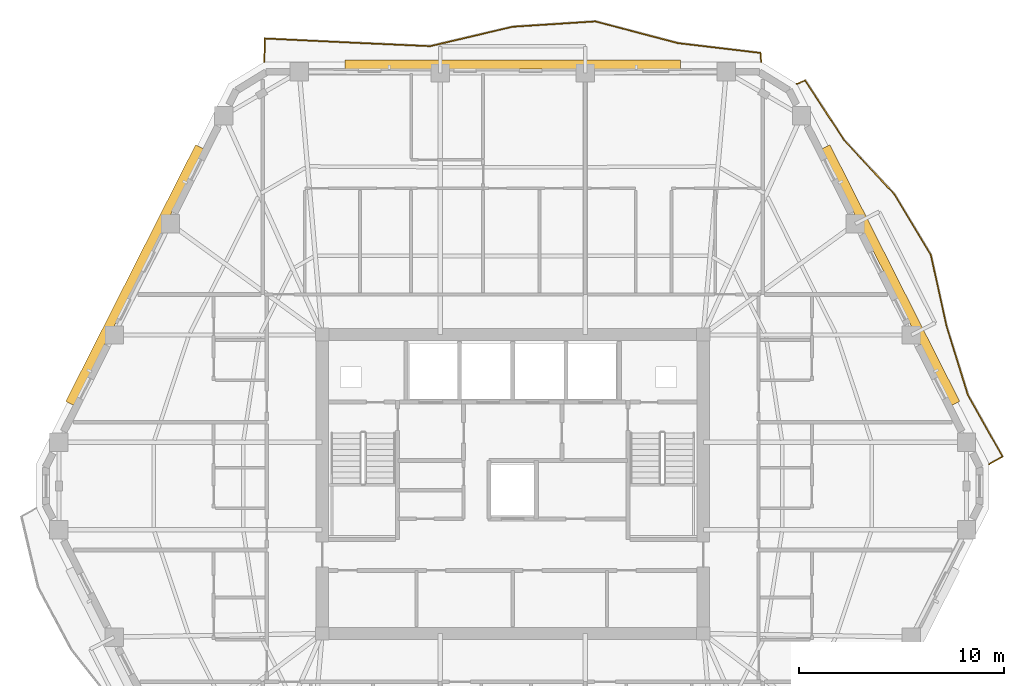
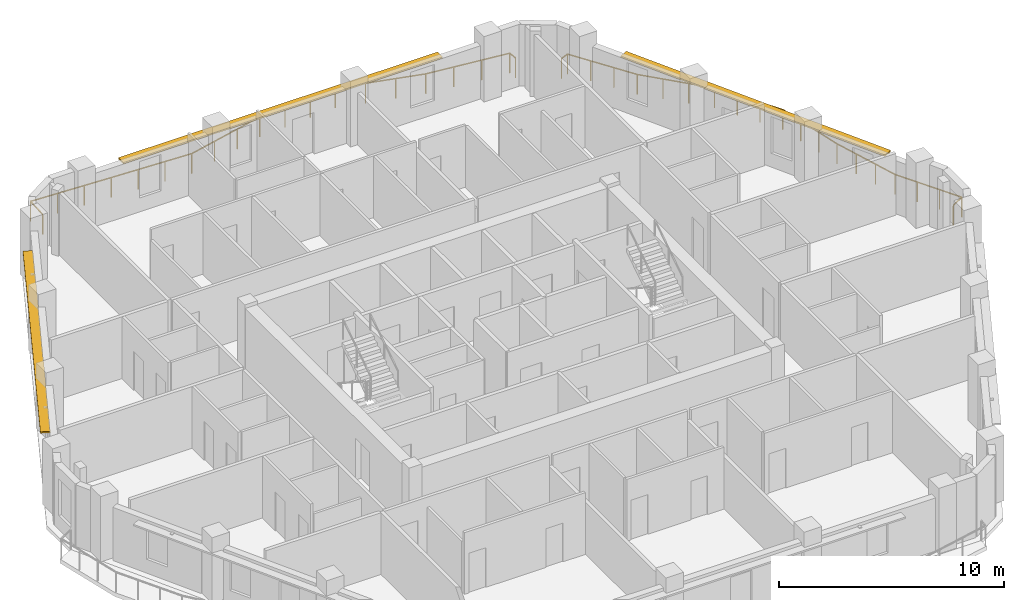
# One storey, part 11 of 11: 3 shading devices, 2 railings.
"""IFC4 building model written with IfcOpenShell, lengths in metres."""

from ifc_helpers import new_model, si_unit, direction, frame, origin, origin_2d, place, context, subcontext, project, spatial, rectangle, extrude, material, layer, layer_set, type_object, element, save


model = new_model("IFC4")

# Units and contexts
model_context = context("Model", 3, precision=1e-05, world=origin(), true_north=direction((0.0, 1.0)))
body_context = subcontext(model_context, "Body", "Model", "MODEL_VIEW")
ifc_project = project(units=[si_unit("LENGTHUNIT", "METRE"), si_unit("AREAUNIT", "SQUARE_METRE"), si_unit("VOLUMEUNIT", "CUBIC_METRE"), si_unit("PLANEANGLEUNIT", "RADIAN"), si_unit("MASSUNIT", "GRAM", prefix="KILO")], contexts=[model_context])

# Site, building, storey
site_placement = place(None, origin())
site = spatial("IfcSite", under=ifc_project, at=site_placement, CompositionType="ELEMENT")
building_placement = place(site_placement, origin())
building = spatial("IfcBuilding", under=site, at=building_placement, Name="Cinnabar Lancet Tower", CompositionType="ELEMENT")
storey_placement = place(building_placement, frame((0.0, 0.0, 200.300048828125)))
storey = spatial("IfcBuildingStorey", under=building, at=storey_placement, Name="L53", CompositionType="ELEMENT", Elevation=200.300048828125)

# Railings
ifc_material_1 = material(Name="Laminated safety glass and bronze stainless steel balustrade", Category="steel")
railing_type = type_object("IfcRailingType", Name="ENV-RLG-BAL-1100", PredefinedType="BALUSTRADE", material=ifc_material_1)
railing_1_placement = place(storey_placement, frame((55.657958984375, 26.87109375, 0.0)))
element("IfcRailing", 1, at=railing_1_placement, inside=storey, type_object=railing_type, Name="L53 Face 3 Wave Balcony Balustrade", PredefinedType="BALUSTRADE", context=body_context, shape_type="SweptSolid", body=[
    extrude(rectangle(XDim=0.048095703125, YDim=0.048095703125, at=origin_2d()), frame((0.0, 0.0, 1.076171875), z_axis=(0.874915580561, 0.48427546592, 0.0), x_axis=(-0.48427546592, 0.874915580561, 0.0)), (0.0, 0.0, 1.0), 0.7431640625),
    extrude(rectangle(XDim=0.048095703125, YDim=0.048095703125, at=origin_2d()), frame((0.650146484375, 0.35986328125, 1.076171875), z_axis=(-0.489262753818, 0.872136432977, 0.0), x_axis=(-0.872136432977, -0.489262753818, 0.0)), (0.0, 0.0, 1.0), 3.46044921875),
    extrude(rectangle(XDim=0.048095703125, YDim=0.048095703125, at=origin_2d()), frame((-1.04296875, 3.3779296875, 1.076171875), z_axis=(-0.297080668913, 0.954852384486, 0.0), x_axis=(-0.954852384486, -0.297080668913, 0.0)), (0.0, 0.0, 1.0), 3.504150390625),
    extrude(rectangle(XDim=0.048095703125, YDim=0.048095703125, at=origin_2d()), frame((-2.083984375, 6.723876953125, 1.076171875), z_axis=(-0.214633362261, 0.976694691193, 0.0), x_axis=(-0.976694691193, -0.214633362261, 0.0)), (0.0, 0.0, 1.0), 3.568359375),
    extrude(rectangle(XDim=0.048095703125, YDim=0.048095703125, at=origin_2d()), frame((-2.849853515625, 10.208984375, 1.076171875), z_axis=(-0.516038793815, 0.856565212508, 0.0), x_axis=(-0.856565212508, -0.516038793815, 0.0)), (0.0, 0.0, 1.0), 3.465087890625),
    extrude(rectangle(XDim=0.048095703125, YDim=0.048095703125, at=origin_2d()), frame((-4.637939453125, 13.177001953125, 1.076171875), z_axis=(-0.680945661488, 0.732333944386, 0.0), x_axis=(-0.732333944386, -0.680945661488, 0.0)), (0.0, 0.0, 1.0), 3.596435546875),
    extrude(rectangle(XDim=0.048095703125, YDim=0.048095703125, at=origin_2d()), frame((-7.0869140625, 15.810791015625, 1.076171875), z_axis=(-0.545106770095, 0.838366631729, 0.0), x_axis=(-0.838366631729, -0.545106770095, 0.0)), (0.0, 0.0, 1.0), 3.478271484375),
    extrude(rectangle(XDim=0.048095703125, YDim=0.048095703125, at=origin_2d()), frame((-8.98291015625, 18.726806640625, 1.076171875), z_axis=(-0.922928723059, -0.384970871824, 0.0), x_axis=(0.384970871824, -0.922928723059, 0.0)), (0.0, 0.0, 1.0), 0.43896484375),
    extrude(rectangle(XDim=0.0419921875, YDim=0.0419921875, at=origin_2d()), origin(), (0.0, 0.0, 1.0), 1.052001953125),
    extrude(rectangle(XDim=0.0419921875, YDim=0.0419921875, at=origin_2d()), frame((0.650146484375, 0.35986328125, 0.0)), (0.0, 0.0, 1.0), 1.052001953125),
    extrude(rectangle(XDim=0.0419921875, YDim=0.0419921875, at=origin_2d()), frame((0.085693359375, 1.365966796875, 0.0)), (0.0, 0.0, 1.0), 1.052001953125),
    extrude(rectangle(XDim=0.0419921875, YDim=0.0419921875, at=origin_2d()), frame((-0.478515625, 2.371826171875, 0.0)), (0.0, 0.0, 1.0), 1.052001953125),
    extrude(rectangle(XDim=0.0419921875, YDim=0.0419921875, at=origin_2d()), frame((-1.04296875, 3.3779296875, 0.0)), (0.0, 0.0, 1.0), 1.052001953125),
    extrude(rectangle(XDim=0.0419921875, YDim=0.0419921875, at=origin_2d()), frame((-1.389892578125, 4.4931640625, 0.0)), (0.0, 0.0, 1.0), 1.052001953125),
    extrude(rectangle(XDim=0.0419921875, YDim=0.0419921875, at=origin_2d()), frame((-1.737060546875, 5.608642578125, 0.0)), (0.0, 0.0, 1.0), 1.052001953125),
    extrude(rectangle(XDim=0.0419921875, YDim=0.0419921875, at=origin_2d()), frame((-2.083984375, 6.723876953125, 0.0)), (0.0, 0.0, 1.0), 1.052001953125),
    extrude(rectangle(XDim=0.0419921875, YDim=0.0419921875, at=origin_2d()), frame((-2.33935546875, 7.885498046875, 0.0)), (0.0, 0.0, 1.0), 1.052001953125),
    extrude(rectangle(XDim=0.0419921875, YDim=0.0419921875, at=origin_2d()), frame((-2.594482421875, 9.04736328125, 0.0)), (0.0, 0.0, 1.0), 1.052001953125),
    extrude(rectangle(XDim=0.0419921875, YDim=0.0419921875, at=origin_2d()), frame((-2.849853515625, 10.208984375, 0.0)), (0.0, 0.0, 1.0), 1.052001953125),
    extrude(rectangle(XDim=0.0419921875, YDim=0.0419921875, at=origin_2d()), frame((-3.44580078125, 11.1982421875, 0.0)), (0.0, 0.0, 1.0), 1.052001953125),
    extrude(rectangle(XDim=0.0419921875, YDim=0.0419921875, at=origin_2d()), frame((-4.0419921875, 12.187744140625, 0.0)), (0.0, 0.0, 1.0), 1.052001953125),
    extrude(rectangle(XDim=0.0419921875, YDim=0.0419921875, at=origin_2d()), frame((-4.637939453125, 13.177001953125, 0.0)), (0.0, 0.0, 1.0), 1.052001953125),
    extrude(rectangle(XDim=0.0419921875, YDim=0.0419921875, at=origin_2d()), frame((-5.454345703125, 14.054931640625, 0.0)), (0.0, 0.0, 1.0), 1.052001953125),
    extrude(rectangle(XDim=0.0419921875, YDim=0.0419921875, at=origin_2d()), frame((-6.2705078125, 14.932861328125, 0.0)), (0.0, 0.0, 1.0), 1.052001953125),
    extrude(rectangle(XDim=0.0419921875, YDim=0.0419921875, at=origin_2d()), frame((-7.0869140625, 15.810791015625, 0.0)), (0.0, 0.0, 1.0), 1.052001953125),
    extrude(rectangle(XDim=0.0419921875, YDim=0.0419921875, at=origin_2d()), frame((-7.718994140625, 16.78271484375, 0.0)), (0.0, 0.0, 1.0), 1.052001953125),
    extrude(rectangle(XDim=0.0419921875, YDim=0.0419921875, at=origin_2d()), frame((-8.350830078125, 17.7548828125, 0.0)), (0.0, 0.0, 1.0), 1.052001953125),
    extrude(rectangle(XDim=0.0419921875, YDim=0.0419921875, at=origin_2d()), frame((-8.98291015625, 18.726806640625, 0.0)), (0.0, 0.0, 1.0), 1.052001953125),
    extrude(rectangle(XDim=0.0419921875, YDim=0.0419921875, at=origin_2d()), frame((-9.387939453125, 18.557861328125, 0.0)), (0.0, 0.0, 1.0), 1.052001953125),
])
railing_2_placement = place(storey_placement, frame((44.528076171875, 46.5, 0.0)))
element("IfcRailing", 2, at=railing_2_placement, inside=storey, type_object=railing_type, Name="L53 Face 4 Wave Balcony Balustrade", PredefinedType="BALUSTRADE", context=body_context, shape_type="SweptSolid", body=[
    extrude(rectangle(XDim=0.048095703125, YDim=0.048095703125, at=origin_2d()), frame((0.0, 0.0, 1.076171875), z_axis=(-0.079833361613, 0.996808223468, 0.0), x_axis=(-0.996808223468, -0.079833361613, 0.0)), (0.0, 0.0, 1.0), 0.4404296875),
    extrude(rectangle(XDim=0.048095703125, YDim=0.048095703125, at=origin_2d()), frame((-0.03515625, 0.43896484375, 1.076171875), z_axis=(-0.993016981355, 0.117971499692, 0.0), x_axis=(-0.117971499692, -0.993016981355, 0.0)), (0.0, 0.0, 1.0), 4.060302734375),
    extrude(rectangle(XDim=0.048095703125, YDim=0.048095703125, at=origin_2d()), frame((-4.067138671875, 0.91796875, 1.076171875), z_axis=(-0.967160243666, 0.254167391835, 0.0), x_axis=(-0.254167391835, -0.967160243666, 0.0)), (0.0, 0.0, 1.0), 4.166748046875),
    extrude(rectangle(XDim=0.048095703125, YDim=0.048095703125, at=origin_2d()), frame((-8.09716796875, 1.97705078125, 1.076171875), z_axis=(-0.997926185727, -0.064368686803, 0.0), x_axis=(0.064368686803, -0.997926185727, 0.0)), (0.0, 0.0, 1.0), 4.039306640625),
    extrude(rectangle(XDim=0.048095703125, YDim=0.048095703125, at=origin_2d()), frame((-12.128173828125, 1.717041015625, 1.076171875), z_axis=(-0.973427222004, -0.22899660142, 0.0), x_axis=(0.22899660142, -0.973427222004, 0.0)), (0.0, 0.0, 1.0), 4.139892578125),
    extrude(rectangle(XDim=0.048095703125, YDim=0.048095703125, at=origin_2d()), frame((-16.157958984375, 0.76904296875, 1.076171875), z_axis=(-0.998983579856, 0.045075571861, 0.0), x_axis=(-0.045075571861, -0.998983579856, 0.0)), (0.0, 0.0, 1.0), 4.03515625),
    extrude(rectangle(XDim=0.048095703125, YDim=0.048095703125, at=origin_2d()), frame((-20.18896484375, 0.950927734375, 1.076171875), z_axis=(-0.998844072361, 0.048067859414, 0.0), x_axis=(-0.048067859414, -0.998844072361, 0.0)), (0.0, 0.0, 1.0), 4.037841796875),
    extrude(rectangle(XDim=0.048095703125, YDim=0.048095703125, at=origin_2d()), frame((-24.22216796875, 1.14501953125, 1.076171875), z_axis=(-0.029624518672, -0.999561097629, 0.0), x_axis=(0.999561097629, -0.029624518672, 0.0)), (0.0, 0.0, 1.0), 1.1455078125),
    extrude(rectangle(XDim=0.0419921875, YDim=0.0419921875, at=origin_2d()), origin(), (0.0, 0.0, 1.0), 1.052001953125),
    extrude(rectangle(XDim=0.0419921875, YDim=0.0419921875, at=origin_2d()), frame((-0.03515625, 0.43896484375, 0.0)), (0.0, 0.0, 1.0), 1.052001953125),
    extrude(rectangle(XDim=0.0419921875, YDim=0.0419921875, at=origin_2d()), frame((-1.379150390625, 0.5986328125, 0.0)), (0.0, 0.0, 1.0), 1.052001953125),
    extrude(rectangle(XDim=0.0419921875, YDim=0.0419921875, at=origin_2d()), frame((-2.72314453125, 0.75830078125, 0.0)), (0.0, 0.0, 1.0), 1.052001953125),
    extrude(rectangle(XDim=0.0419921875, YDim=0.0419921875, at=origin_2d()), frame((-4.067138671875, 0.91796875, 0.0)), (0.0, 0.0, 1.0), 1.052001953125),
    extrude(rectangle(XDim=0.0419921875, YDim=0.0419921875, at=origin_2d()), frame((-5.410400390625, 1.27099609375, 0.0)), (0.0, 0.0, 1.0), 1.052001953125),
    extrude(rectangle(XDim=0.0419921875, YDim=0.0419921875, at=origin_2d()), frame((-6.75390625, 1.6240234375, 0.0)), (0.0, 0.0, 1.0), 1.052001953125),
    extrude(rectangle(XDim=0.0419921875, YDim=0.0419921875, at=origin_2d()), frame((-8.09716796875, 1.97705078125, 0.0)), (0.0, 0.0, 1.0), 1.052001953125),
    extrude(rectangle(XDim=0.0419921875, YDim=0.0419921875, at=origin_2d()), frame((-9.44091796875, 1.890380859375, 0.0)), (0.0, 0.0, 1.0), 1.052001953125),
    extrude(rectangle(XDim=0.0419921875, YDim=0.0419921875, at=origin_2d()), frame((-10.784423828125, 1.8037109375, 0.0)), (0.0, 0.0, 1.0), 1.052001953125),
    extrude(rectangle(XDim=0.0419921875, YDim=0.0419921875, at=origin_2d()), frame((-12.128173828125, 1.717041015625, 0.0)), (0.0, 0.0, 1.0), 1.052001953125),
    extrude(rectangle(XDim=0.0419921875, YDim=0.0419921875, at=origin_2d()), frame((-13.471435546875, 1.401123046875, 0.0)), (0.0, 0.0, 1.0), 1.052001953125),
    extrude(rectangle(XDim=0.0419921875, YDim=0.0419921875, at=origin_2d()), frame((-14.814697265625, 1.0849609375, 0.0)), (0.0, 0.0, 1.0), 1.052001953125),
    extrude(rectangle(XDim=0.0419921875, YDim=0.0419921875, at=origin_2d()), frame((-16.157958984375, 0.76904296875, 0.0)), (0.0, 0.0, 1.0), 1.052001953125),
    extrude(rectangle(XDim=0.0419921875, YDim=0.0419921875, at=origin_2d()), frame((-17.501708984375, 0.82958984375, 0.0)), (0.0, 0.0, 1.0), 1.052001953125),
    extrude(rectangle(XDim=0.0419921875, YDim=0.0419921875, at=origin_2d()), frame((-18.84521484375, 0.890380859375, 0.0)), (0.0, 0.0, 1.0), 1.052001953125),
    extrude(rectangle(XDim=0.0419921875, YDim=0.0419921875, at=origin_2d()), frame((-20.18896484375, 0.950927734375, 0.0)), (0.0, 0.0, 1.0), 1.052001953125),
    extrude(rectangle(XDim=0.0419921875, YDim=0.0419921875, at=origin_2d()), frame((-21.533447265625, 1.015625, 0.0)), (0.0, 0.0, 1.0), 1.052001953125),
    extrude(rectangle(XDim=0.0419921875, YDim=0.0419921875, at=origin_2d()), frame((-22.877685546875, 1.080322265625, 0.0)), (0.0, 0.0, 1.0), 1.052001953125),
    extrude(rectangle(XDim=0.0419921875, YDim=0.0419921875, at=origin_2d()), frame((-24.22216796875, 1.14501953125, 0.0)), (0.0, 0.0, 1.0), 1.052001953125),
    extrude(rectangle(XDim=0.0419921875, YDim=0.0419921875, at=origin_2d()), frame((-24.256103515625, 0.0, 0.0)), (0.0, 0.0, 1.0), 1.052001953125),
])

# Shading devices
ifc_material_2 = material(Name="Pale limestone architectural aluminium sunshade", Category="masonry")
ifc_layer = layer(ifc_material_2, 0.080078125)
ifc_layer_set = layer_set([ifc_layer], Name="Pale limestone architectural aluminium sunshade")
shading_device_type = type_object("IfcShadingDeviceType", Name="ENV-SHD-LVR-450", PredefinedType="JALOUSIE", material=ifc_layer_set)
shading_device_1_placement = place(storey_placement, frame((50.845947265625, 36.093994140625, 2.639892578125), z_axis=(0.0, 0.0, 1.0), x_axis=(-0.45140713236, 0.892318105193, 0.0)))
element("IfcShadingDevice", 3, at=shading_device_1_placement, inside=storey, type_object=shading_device_type, Name="L53 Face 3 Horizontal Sunshade Canopy", PredefinedType="JALOUSIE", context=body_context, shape_type="SweptSolid", body=[
    extrude(rectangle(XDim=14.034912109375, YDim=0.449951171875, at=origin_2d()), origin(), (0.0, 0.0, 1.0), 0.080078125),
])
shading_device_2_placement = place(storey_placement, frame((32.39990234375, 46.3701171875, 2.639892578125), z_axis=(0.0, 0.0, 1.0), x_axis=(-1.0, 0.0, 0.0)))
element("IfcShadingDevice", 4, at=shading_device_2_placement, inside=storey, type_object=shading_device_type, Name="L53 Face 4 Horizontal Sunshade Canopy", PredefinedType="JALOUSIE", context=body_context, shape_type="SweptSolid", body=[
    extrude(rectangle(XDim=16.3720703125, YDim=0.449951171875, at=origin_2d()), origin(), (0.0, 0.0, 1.0), 0.080078125),
])
shading_device_3_placement = place(storey_placement, frame((13.9541015625, 36.093994140625, 2.639892578125), z_axis=(0.0, 0.0, 1.0), x_axis=(-0.45140713236, -0.892318105193, 0.0)))
element("IfcShadingDevice", 5, at=shading_device_3_placement, inside=storey, type_object=shading_device_type, Name="L53 Face 5 Horizontal Sunshade Canopy", PredefinedType="JALOUSIE", context=body_context, shape_type="SweptSolid", body=[
    extrude(rectangle(XDim=14.034912109375, YDim=0.449951171875, at=origin_2d()), origin(), (0.0, 0.0, 1.0), 0.080078125),
])

save(model, "model.ifc")
